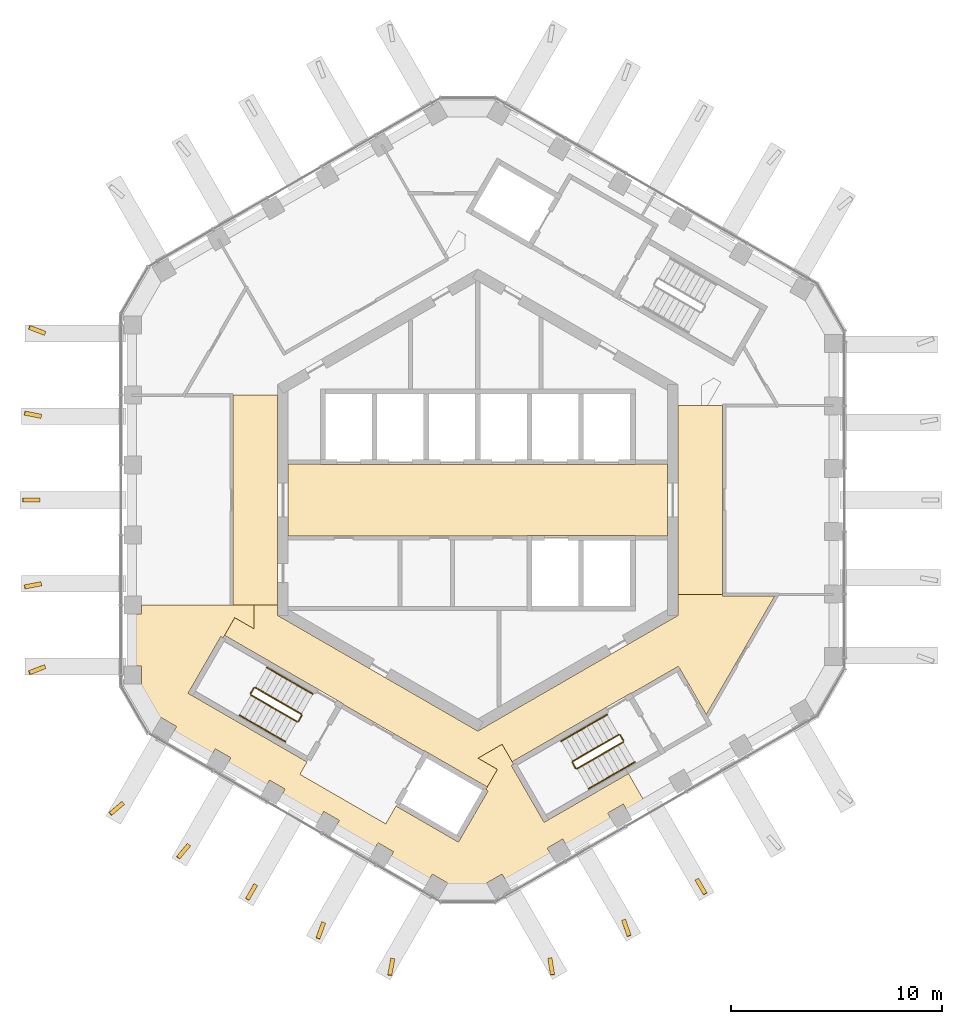
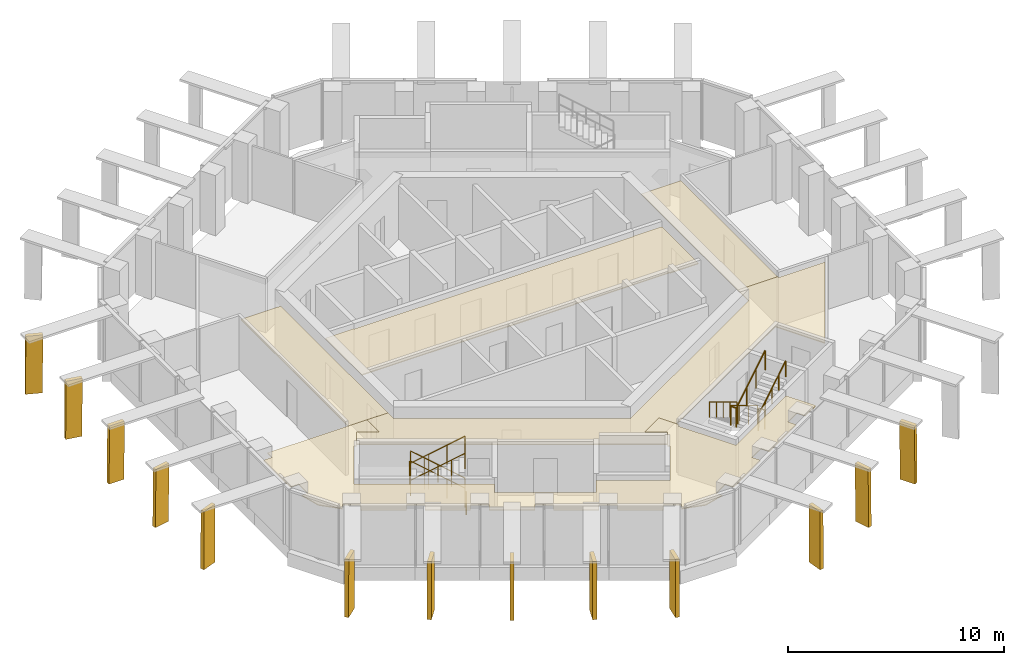
# One storey, part 15 of 17: 16 railings, 13 shading devices, 5 coverings.
"""IFC4 building model written with IfcOpenShell, lengths in metres."""

from ifc_helpers import new_model, si_unit, direction, frame, origin, origin_2d, place, context, subcontext, project, spatial, polyline, circle, outline, extrude, material, layer, layer_set, type_object, element, save


model = new_model("IFC4")

# Units and contexts
model_context = context("Model", 3, precision=1e-05, world=origin(), true_north=direction((0.0, 1.0)))
body_context = subcontext(model_context, "Body", "Model", "MODEL_VIEW")
ifc_project = project(units=[si_unit("LENGTHUNIT", "METRE"), si_unit("AREAUNIT", "SQUARE_METRE"), si_unit("VOLUMEUNIT", "CUBIC_METRE"), si_unit("PLANEANGLEUNIT", "RADIAN"), si_unit("MASSUNIT", "GRAM", prefix="KILO")], contexts=[model_context])

# Site, building, storey
site_placement = place(None, origin())
site = spatial("IfcSite", under=ifc_project, at=site_placement, CompositionType="ELEMENT")
building_placement = place(site_placement, origin())
building = spatial("IfcBuilding", under=site, at=building_placement, Name="Ayvan Gate Tower", CompositionType="ELEMENT")
storey_placement = place(building_placement, frame((0.0, 0.0, 246.10009765625)))
storey = spatial("IfcBuildingStorey", under=building, at=storey_placement, Name="L66", CompositionType="ELEMENT", Elevation=246.10009765625)

# Coverings
ifc_material_1 = material(Name="Plasterboard suspended ceiling")
ifc_layer_1 = layer(ifc_material_1, 0.050048828125)
ifc_layer_set_1 = layer_set([ifc_layer_1], Name="Plasterboard suspended ceiling")
covering_type = type_object("IfcCoveringType", Name="CT-SUSP-50", PredefinedType="CEILING", material=ifc_layer_set_1)
covering_1_placement = place(storey_placement, frame((0.0, 0.0, 2.699951171875)))
element("IfcCovering", 1, at=covering_1_placement, inside=storey, type_object=covering_type, Name="Ceiling Lift Lobby L66", PredefinedType="CEILING", context=body_context, shape_type="SweptSolid", body=[
    extrude(outline(polyline([(7.47509765625, -1.675048828125), (2.324951171875, -1.675048828125), (2.324951171875, -1.699951171875), (-9.0, -1.699951171875), (-9.0, 1.699951171875), (-7.47509765625, 1.699951171875), (-7.47509765625, 1.675048828125), (7.47509765625, 1.675048828125), (7.47509765625, 1.699951171875), (9.0, 1.699951171875), (9.0, -1.699951171875), (7.47509765625, -1.699951171875), (7.47509765625, -1.675048828125)])), origin(), (0.0, 0.0, 1.0), 0.050048828125),
])
covering_2_placement = place(storey_placement, frame((0.0, 0.0, 2.699951171875)))
element("IfcCovering", 2, at=covering_2_placement, inside=storey, type_object=covering_type, Name="Ceiling Gallery L66", PredefinedType="CEILING", context=body_context, shape_type="SweptSolid", body=[
    extrude(outline(polyline([(-4.66748046875, -8.27490234375), (0.0, -10.9697265625), (4.66748046875, -8.27490234375), (8.38720703125, -6.127197265625), (9.5, -5.48486328125), (9.5, -4.481689453125), (11.625, -4.481689453125), (11.625, -4.556884765625), (14.096923828125, -4.556884765625), (10.846435546875, -10.186767578125), (9.623779296875, -8.069091796875), (9.52392578125, -7.89599609375), (7.2939453125, -9.183349609375), (7.281494140625, -9.16162109375), (1.630615234375, -12.42431640625), (1.153076171875, -11.59716796875), (0.010009765625, -12.257080078125), (0.930419921875, -12.78857421875), (0.447998046875, -13.624267578125), (-2.284423828125, -12.046630859375), (-2.518310546875, -11.91162109375), (-2.53076171875, -11.933349609375), (-6.384521484375, -9.70849609375), (-6.3720703125, -9.686767578125), (-12.02294921875, -6.42431640625), (-11.540283203125, -5.58837890625), (-10.6201171875, -6.119873046875), (-10.6201171875, -4.97509765625), (-9.5, -4.97509765625), (-9.5, -5.48486328125), (-4.66748046875, -8.27490234375)])), origin(), (0.0, 0.0, 1.0), 0.050048828125),
])
covering_3_placement = place(storey_placement, frame((0.0, 0.0, 2.699951171875)))
element("IfcCovering", 3, at=covering_3_placement, inside=storey, type_object=covering_type, Name="Ceiling Lift Lounge Lobby L66", PredefinedType="CEILING", context=body_context, shape_type="SweptSolid", body=[
    extrude(outline(polyline([(11.625, -4.481689453125), (9.5, -4.481689453125), (9.5, 4.481689453125), (11.625, 4.481689453125), (11.625, -4.40673828125), (11.625, -4.40673828125), (11.625, -4.481689453125)])), origin(), (0.0, 0.0, 1.0), 0.050048828125),
])
covering_4_placement = place(storey_placement, frame((0.0, 0.0, 2.699951171875)))
element("IfcCovering", 4, at=covering_4_placement, inside=storey, type_object=covering_type, Name="Ceiling Lift Lounge Lobby L66", PredefinedType="CEILING", context=body_context, shape_type="SweptSolid", body=[
    extrude(outline(polyline([(-11.625, 4.97509765625), (-9.5, 4.97509765625), (-9.5, -4.97509765625), (-11.625, -4.97509765625), (-11.625, 4.97509765625)])), origin(), (0.0, 0.0, 1.0), 0.050048828125),
])
covering_5_placement = place(storey_placement, frame((0.0, 0.0, 2.699951171875)))
element("IfcCovering", 5, at=covering_5_placement, inside=storey, type_object=covering_type, Name="Ceiling Gym L66", PredefinedType="CEILING", context=body_context, shape_type="SweptSolid", body=[
    extrude(outline(polyline([(-13.53955078125, -9.301513671875), (-8.106201171875, -12.438232421875), (-8.444091796875, -13.023681640625), (-4.3720703125, -15.374755859375), (-3.88427734375, -14.529541015625), (-0.9189453125, -16.24169921875), (-0.803955078125, -16.042236328125), (0.483642578125, -13.812255859375), (0.376220703125, -13.750244140625), (0.38671875, -13.732177734375), (0.931640625, -12.7880859375), (0.011962890625, -12.257080078125), (1.152587890625, -11.5986328125), (1.691650390625, -12.531982421875), (1.7021484375, -12.55029296875), (1.5947265625, -12.6123046875), (3.147216796875, -15.30126953125), (3.346435546875, -15.186279296875), (7.15185546875, -12.9892578125), (7.94580078125, -14.3642578125), (7.13525390625, -14.832275390625), (6.907958984375, -14.4384765625), (6.171875, -14.863525390625), (6.399169921875, -15.257080078125), (4.2568359375, -16.494140625), (4.029541015625, -16.100341796875), (3.29345703125, -16.525390625), (3.520751953125, -16.919189453125), (1.37841796875, -18.156005859375), (1.151123046875, -17.76220703125), (0.4150390625, -18.187255859375), (0.5830078125, -18.478271484375), (-0.474853515625, -18.76171875), (-1.583984375, -18.464599609375), (-1.423828125, -18.187255859375), (-2.159912109375, -17.76220703125), (-2.37255859375, -18.130126953125), (-4.212158203125, -17.068115234375), (-3.99951171875, -16.7001953125), (-4.735595703125, -16.275146484375), (-4.9482421875, -16.64306640625), (-6.787841796875, -15.5810546875), (-6.5751953125, -15.212890625), (-7.311279296875, -14.7880859375), (-7.52392578125, -15.156005859375), (-9.363525390625, -14.093994140625), (-9.15087890625, -13.725830078125), (-9.88720703125, -13.30078125), (-10.099609375, -13.6689453125), (-11.939208984375, -12.60693359375), (-11.726806640625, -12.23876953125), (-12.462890625, -11.813720703125), (-12.67529296875, -12.181884765625), (-14.514892578125, -11.119873046875), (-14.302490234375, -10.751708984375), (-15.03857421875, -10.32666015625), (-15.19873046875, -10.60400390625), (-16.0107421875, -9.7919921875), (-16.294189453125, -8.734130859375), (-15.9580078125, -8.734130859375), (-15.9580078125, -7.88427734375), (-16.41259765625, -7.88427734375), (-16.41259765625, -5.410400390625), (-15.9580078125, -5.410400390625), (-15.9580078125, -4.976318359375), (-10.62109375, -4.976318359375), (-10.62109375, -6.1181640625), (-11.540771484375, -5.587158203125), (-12.085693359375, -6.531005859375), (-12.09619140625, -6.54931640625), (-12.20361328125, -6.4873046875), (-13.756103515625, -9.17626953125), (-13.53955078125, -9.30126953125), (-13.53955078125, -9.301513671875)])), origin(), (0.0, 0.0, 1.0), 0.050048828125),
])

# Shading devices
ifc_material_2 = material(Name="Bronze anodised aluminium", Category="aluminium")
ifc_layer_2 = layer(ifc_material_2, 0.199951171875)
ifc_layer_set_2 = layer_set([ifc_layer_2], Name="Bronze anodised aluminium")
shading_device_type = type_object("IfcShadingDeviceType", Name="Crown frame rib 800 x 200", PredefinedType="USERDEFINED", material=ifc_layer_set_2)
shading_device_1_placement = place(storey_placement, frame((-20.522216796875, 8.009765625, 0.0), z_axis=(0.359469754123, 0.933156628276, 0.000450528251), x_axis=(-0.93315672298, 0.359469790605, 0.0)))
element("IfcShadingDevice", 6, at=shading_device_1_placement, inside=storey, type_object=shading_device_type, Name="CROWN FRAME rib FR04.4.1", ObjectType="FIN", PredefinedType="USERDEFINED", context=body_context, shape_type="SweptSolid", body=[
    extrude(outline(polyline([(0.0, 0.0), (0.8000607109875282, 0.0), (0.7767297963089533, 3.279785489108402), (-0.023330914678574885, 3.279785489108402), (0.0, 0.0)])), origin(), (0.0, 0.0, -1.0), 0.199951171875),
])
shading_device_2_placement = place(storey_placement, frame((-20.720458984375, 4.075439453125, 0.0), z_axis=(0.188304009219, 0.98211069962, 0.000416897023), x_axis=(-0.982110784967, 0.188304025583, 0.0)))
element("IfcShadingDevice", 7, at=shading_device_2_placement, inside=storey, type_object=shading_device_type, Name="CROWN FRAME rib FR04.4.2", ObjectType="FIN", PredefinedType="USERDEFINED", context=body_context, shape_type="SweptSolid", body=[
    extrude(outline(polyline([(0.0, 0.0), (0.7999551000512035, -1.3552527156068805e-20), (0.7785629845030955, 3.2797854412684972), (-0.02139211554810814, 3.2797854412684972), (0.0, 0.0)])), origin(), (0.0, 0.0, -1.0), 0.199951171875),
])
shading_device_3_placement = place(storey_placement, frame((-20.8056640625, 0.099853515625, 0.0), z_axis=(0.0, 0.999999900262, 0.000446627914), x_axis=(-1.0, 0.0, 0.0)))
element("IfcShadingDevice", 8, at=shading_device_3_placement, inside=storey, type_object=shading_device_type, Name="CROWN FRAME rib FR04.4.3", ObjectType="FIN", PredefinedType="USERDEFINED", context=body_context, shape_type="SweptSolid", body=[
    extrude(outline(polyline([(0.0, 0.0), (0.800048828125, 0.0), (0.779296875, 3.2797854833700706), (-0.020751953125, 3.2797854833700706), (0.0, 0.0)])), origin(), (0.0, 0.0, -1.0), 0.199951171875),
])
shading_device_4_placement = place(storey_placement, frame((-20.758056640625, -3.87939453125, 0.0), z_axis=(-0.188422948191, 0.982087868425, 0.000459660961), x_axis=(-0.982087972184, -0.18842296806, -8.2078e-08)))
element("IfcShadingDevice", 9, at=shading_device_4_placement, inside=storey, type_object=shading_device_type, Name="CROWN FRAME rib FR04.4.4", ObjectType="FIN", PredefinedType="USERDEFINED", context=body_context, shape_type="SweptSolid", body=[
    extrude(outline(polyline([(0.0, 0.0), (0.8001948617557695, 1.3552527156068805e-20), (0.7786350292679558, 3.2797855666489135), (-0.02136606661766626, 3.279785435307839), (0.0, 0.0)])), origin(), (0.0, 0.0, -1.0), 0.199951171875),
])
shading_device_5_placement = place(storey_placement, frame((-20.593994140625, -7.8232421875, 0.0), z_axis=(-0.359336881967, 0.93320780047, 0.000454312487), x_axis=(-0.933207896767, -0.359336919078, 6.4687e-08)))
element("IfcShadingDevice", 10, at=shading_device_5_placement, inside=storey, type_object=shading_device_type, Name="CROWN FRAME rib FR04.4.5", ObjectType="FIN", PredefinedType="USERDEFINED", context=body_context, shape_type="SweptSolid", body=[
    extrude(outline(polyline([(0.0, 0.0), (0.8000607028774714, 1.3552527156068805e-20), (0.7767838912935889, 3.2797854444754293), (-0.02318908284387331, 3.279785547977567), (0.0, 0.0)])), origin(), (0.0, 0.0, -1.0), 0.199951171875),
])
shading_device_6_placement = place(storey_placement, frame((-16.914306640625, -14.317138671875, 0.0), z_axis=(-0.649559283849, 0.760310819798, 0.000440526821), x_axis=(-0.760310893573, -0.649559346877, 0.0)))
element("IfcShadingDevice", 11, at=shading_device_6_placement, inside=storey, type_object=shading_device_type, Name="CROWN FRAME rib FR04.5.1", ObjectType="FIN", PredefinedType="USERDEFINED", context=body_context, shape_type="SweptSolid", body=[
    extrude(outline(polyline([(0.0, 0.0), (0.8001969229207351, 2.710505431213761e-20), (0.7767061072654768, 3.2797854744939623), (-0.0234908156552582, 3.2797854744939623), (0.0, 0.0)])), origin(), (0.0, 0.0, -1.0), 0.199951171875),
])
shading_device_7_placement = place(storey_placement, frame((-13.799072265625, -16.315185546875, 0.0), z_axis=(-0.766479786093, 0.642268249983, 0.000482260273), x_axis=(-0.642268324674, -0.766479875222, -9.139e-09)))
element("IfcShadingDevice", 12, at=shading_device_7_placement, inside=storey, type_object=shading_device_type, Name="CROWN FRAME rib FR04.5.2", ObjectType="FIN", PredefinedType="USERDEFINED", context=body_context, shape_type="SweptSolid", body=[
    extrude(outline(polyline([(0.0, 0.0), (0.8001397143546464, -2.710505431213761e-20), (0.7780976686724914, 3.27978554475889), (-0.021698113016164727, 3.279785530137449), (0.0, 0.0)])), origin(), (0.0, 0.0, -1.0), 0.199951171875),
])
shading_device_8_placement = place(storey_placement, frame((-10.6376953125, -18.22509765625, 0.0), z_axis=(-0.865989798891, 0.500061422196, 0.000492187132), x_axis=(-0.500061482754, -0.86598990379, 2.7489e-08)))
element("IfcShadingDevice", 13, at=shading_device_8_placement, inside=storey, type_object=shading_device_type, Name="CROWN FRAME rib FR04.5.3", ObjectType="FIN", PredefinedType="USERDEFINED", context=body_context, shape_type="SweptSolid", body=[
    extrude(outline(polyline([(0.0, 0.0), (0.7997837074713671, 0.0), (0.7785791380288829, 3.2797855321084484), (-0.02153807808177706, 3.279785576088627), (0.0, 0.0)])), origin(), (0.0, 0.0, -1.0), 0.199951171875),
])
shading_device_9_placement = place(storey_placement, frame((-7.417724609375, -20.03955078125, 0.0), z_axis=(-0.939427413756, 0.34274755869, 0.000495274267), x_axis=(-0.342747600727, -0.939427528975, 0.0)))
element("IfcShadingDevice", 14, at=shading_device_9_placement, inside=storey, type_object=shading_device_type, Name="CROWN FRAME rib FR04.5.4", ObjectType="FIN", PredefinedType="USERDEFINED", context=body_context, shape_type="SweptSolid", body=[
    extrude(outline(polyline([(0.0, 0.0), (0.7999178441897365, -2.710505431213761e-20), (0.7780148367183394, 3.2797855585101465), (-0.02190300747139721, 3.2797855585101465), (0.0, 0.0)])), origin(), (0.0, 0.0, -1.0), 0.199951171875),
])
shading_device_10_placement = place(storey_placement, frame((-4.138427734375, -21.7705078125, 0.0), z_axis=(-0.983236345595, 0.18233510754, 0.000444138307), x_axis=(-0.182335125494, -0.983236442577, 6.6633e-08)))
element("IfcShadingDevice", 15, at=shading_device_10_placement, inside=storey, type_object=shading_device_type, Name="CROWN FRAME rib FR04.5.5", ObjectType="FIN", PredefinedType="USERDEFINED", context=body_context, shape_type="SweptSolid", body=[
    extrude(outline(polyline([(0.0, 0.0), (0.8000102265386647, 0.0), (0.7764220824131359, 3.2797854279978615), (-0.023632659537026486, 3.2797855346153217), (0.0, 0.0)])), origin(), (0.0, 0.0, -1.0), 0.199951171875),
])
shading_device_11_placement = place(storey_placement, frame((3.324462890625, -21.777587890625, 0.0), z_axis=(-0.987861648947, -0.155335674796, 0.000436663262), x_axis=(0.155335689605, -0.987861743127, 0.0)))
element("IfcShadingDevice", 16, at=shading_device_11_placement, inside=storey, type_object=shading_device_type, Name="CROWN FRAME rib FR04.6.1", ObjectType="FIN", PredefinedType="USERDEFINED", context=body_context, shape_type="SweptSolid", body=[
    extrude(outline(polyline([(0.0, 0.0), (0.7999937325470513, -6.776263578034403e-21), (0.7767405863547763, 3.2797854689362413), (-0.02325314619227498, 3.2797854689362413), (0.0, 0.0)])), origin(), (0.0, 0.0, -1.0), 0.199951171875),
])
shading_device_12_placement = place(storey_placement, frame((6.830810546875, -19.982177734375, 0.0), z_axis=(-0.944768084065, -0.327739315984, 0.000456169118), x_axis=(0.327739350084, -0.944768182364, 0.0)))
element("IfcShadingDevice", 17, at=shading_device_12_placement, inside=storey, type_object=shading_device_type, Name="CROWN FRAME rib FR04.6.2", ObjectType="FIN", PredefinedType="USERDEFINED", context=body_context, shape_type="SweptSolid", body=[
    extrude(outline(polyline([(0.0, 0.0), (0.8000474498505256, 0.0), (0.7786013315514932, 3.279785497495733), (-0.021446118299032323, 3.279785497495733), (0.0, 0.0)])), origin(), (0.0, 0.0, -1.0), 0.199951171875),
])
shading_device_13_placement = place(storey_placement, frame((10.31640625, -18.068115234375, 0.0), z_axis=(-0.866094020185, -0.499880903828, 0.000479778982), x_axis=(0.499880961361, -0.866094119867, 0.0)))
element("IfcShadingDevice", 18, at=shading_device_13_placement, inside=storey, type_object=shading_device_type, Name="CROWN FRAME rib FR04.6.3", ObjectType="FIN", PredefinedType="USERDEFINED", context=body_context, shape_type="SweptSolid", body=[
    extrude(outline(polyline([(0.0, 0.0), (0.7999951481672026, 0.0), (0.7791980674054491, 3.2797855337334485), (-0.020797080761753586, 3.2797855337334485), (0.0, 0.0)])), origin(), (0.0, 0.0, -1.0), 0.199951171875),
])

# Railings
ifc_material_3 = material(Name="Stainless steel balustrade", Category="steel")
railing_type_1 = type_object("IfcRailingType", Name="RL-GUARD-1100", PredefinedType="GUARDRAIL", material=ifc_material_3)
railing_1_placement = place(storey_placement, frame((-8.381103515625, -10.16650390625, 0.169921875)))
element("IfcRailing", 19, at=railing_1_placement, inside=storey, type_object=railing_type_1, Name="L66 STS2 stair guard 1", PredefinedType="GUARDRAIL", context=body_context, shape_type="SweptSolid", body=[
    extrude(circle(Radius=0.02392578125, at=origin_2d()), frame((0.0, 0.0, 1.076171875), z_axis=(-0.740261155115, 0.427395438142, 0.518986090067), x_axis=(-0.500004791531, -0.866022637375, 0.0)), (0.0, 0.0, 1.0), 2.947998046875),
    extrude(circle(Radius=0.02099609375, at=origin_2d()), origin(), (0.0, 0.0, 1.0), 1.052001953125),
    extrude(circle(Radius=0.02099609375, at=origin_2d()), frame((-0.7275390625, 0.419921875, 0.510009765625)), (0.0, 0.0, 1.0), 1.052001953125),
    extrude(circle(Radius=0.02099609375, at=origin_2d()), frame((-1.454833984375, 0.840087890625, 1.02001953125)), (0.0, 0.0, 1.0), 1.052001953125),
    extrude(circle(Radius=0.02099609375, at=origin_2d()), frame((-2.182373046875, 1.260009765625, 1.530029296875)), (0.0, 0.0, 1.0), 1.052001953125),
])
railing_2_placement = place(storey_placement, frame((-10.6318359375, -8.9248046875, 1.699951171875)))
element("IfcRailing", 20, at=railing_2_placement, inside=storey, type_object=railing_type_1, Name="L66 STS2 stair guard 2", PredefinedType="GUARDRAIL", context=body_context, shape_type="SweptSolid", body=[
    extrude(circle(Radius=0.02392578125, at=origin_2d()), frame((0.0, 0.0, 1.076171875), z_axis=(-0.499949632511, -0.866054481515, 0.0), x_axis=(0.866054481515, -0.499949632511, 0.0)), (0.0, 0.0, 1.0), 0.31005859375),
    extrude(circle(Radius=0.02099609375, at=origin_2d()), origin(), (0.0, 0.0, 1.0), 1.052001953125),
    extrude(circle(Radius=0.02099609375, at=origin_2d()), frame((-0.155029296875, -0.2685546875, 0.0)), (0.0, 0.0, 1.0), 1.052001953125),
])
railing_3_placement = place(storey_placement, frame((-10.7685546875, -9.261474609375, 1.869873046875)))
element("IfcRailing", 21, at=railing_3_placement, inside=storey, type_object=railing_type_1, Name="L66 STS2 stair guard 3", PredefinedType="GUARDRAIL", context=body_context, shape_type="SweptSolid", body=[
    extrude(circle(Radius=0.02392578125, at=origin_2d()), frame((0.0, 0.0, 1.076171875), z_axis=(0.740261155115, -0.427395438142, 0.518986090067), x_axis=(0.500004791531, 0.866022637375, 0.0)), (0.0, 0.0, 1.0), 2.947998046875),
    extrude(circle(Radius=0.02099609375, at=origin_2d()), origin(), (0.0, 0.0, 1.0), 1.052001953125),
    extrude(circle(Radius=0.02099609375, at=origin_2d()), frame((0.7275390625, -0.419921875, 0.510009765625)), (0.0, 0.0, 1.0), 1.052001953125),
    extrude(circle(Radius=0.02099609375, at=origin_2d()), frame((1.454833984375, -0.840087890625, 1.02001953125)), (0.0, 0.0, 1.0), 1.052001953125),
    extrude(circle(Radius=0.02099609375, at=origin_2d()), frame((2.182373046875, -1.260009765625, 1.530029296875)), (0.0, 0.0, 1.0), 1.052001953125),
])
railing_4_placement = place(storey_placement, frame((-8.36279296875, -10.23486328125, 0.0)))
element("IfcRailing", 22, at=railing_4_placement, inside=storey, type_object=railing_type_1, Name="L66 STS2 stair guard 4", PredefinedType="GUARDRAIL", context=body_context, shape_type="SweptSolid", body=[
    extrude(circle(Radius=0.02392578125, at=origin_2d()), frame((0.0, 0.0, 1.076171875), z_axis=(-0.500290723946, -0.86585748916, 0.0), x_axis=(0.86585748916, -0.500290723946, 0.0)), (0.0, 0.0, 1.0), 0.309814453125),
    extrude(circle(Radius=0.02099609375, at=origin_2d()), origin(), (0.0, 0.0, 1.0), 1.052001953125),
    extrude(circle(Radius=0.02099609375, at=origin_2d()), frame((-0.155029296875, -0.268310546875, 0.0)), (0.0, 0.0, 1.0), 1.052001953125),
])
railing_5_placement = place(storey_placement, frame((6.6923828125, -11.1416015625, 0.169921875)))
element("IfcRailing", 23, at=railing_5_placement, inside=storey, type_object=railing_type_1, Name="L66 STS3 stair guard 1", PredefinedType="GUARDRAIL", context=body_context, shape_type="SweptSolid", body=[
    extrude(circle(Radius=0.02392578125, at=origin_2d()), frame((0.0, 0.0, 1.076171875), z_axis=(-0.740261155115, -0.427395438142, 0.518986090067), x_axis=(0.500004791531, -0.866022637375, 0.0)), (0.0, 0.0, 1.0), 2.947998046875),
    extrude(circle(Radius=0.02099609375, at=origin_2d()), origin(), (0.0, 0.0, 1.0), 1.052001953125),
    extrude(circle(Radius=0.02099609375, at=origin_2d()), frame((-0.7275390625, -0.419921875, 0.510009765625)), (0.0, 0.0, 1.0), 1.052001953125),
    extrude(circle(Radius=0.02099609375, at=origin_2d()), frame((-1.454833984375, -0.840087890625, 1.02001953125)), (0.0, 0.0, 1.0), 1.052001953125),
    extrude(circle(Radius=0.02099609375, at=origin_2d()), frame((-2.182373046875, -1.260009765625, 1.530029296875)), (0.0, 0.0, 1.0), 1.052001953125),
])
railing_6_placement = place(storey_placement, frame((4.49169921875, -12.4697265625, 1.699951171875)))
element("IfcRailing", 24, at=railing_6_placement, inside=storey, type_object=railing_type_1, Name="L66 STS3 stair guard 2", PredefinedType="GUARDRAIL", context=body_context, shape_type="SweptSolid", body=[
    extrude(circle(Radius=0.02392578125, at=origin_2d()), frame((0.0, 0.0, 1.076171875), z_axis=(0.499949632511, -0.866054481515, 0.0), x_axis=(0.866054481515, 0.499949632511, 0.0)), (0.0, 0.0, 1.0), 0.31005859375),
    extrude(circle(Radius=0.02099609375, at=origin_2d()), origin(), (0.0, 0.0, 1.0), 1.052001953125),
    extrude(circle(Radius=0.02099609375, at=origin_2d()), frame((0.155029296875, -0.2685546875, 0.0)), (0.0, 0.0, 1.0), 1.052001953125),
])
railing_7_placement = place(storey_placement, frame((4.715087890625, -12.756591796875, 1.869873046875)))
element("IfcRailing", 25, at=railing_7_placement, inside=storey, type_object=railing_type_1, Name="L66 STS3 stair guard 3", PredefinedType="GUARDRAIL", context=body_context, shape_type="SweptSolid", body=[
    extrude(circle(Radius=0.02392578125, at=origin_2d()), frame((0.0, 0.0, 1.076171875), z_axis=(0.740261155115, 0.427395438142, 0.518986090067), x_axis=(-0.500004791531, 0.866022637375, 0.0)), (0.0, 0.0, 1.0), 2.947998046875),
    extrude(circle(Radius=0.02099609375, at=origin_2d()), origin(), (0.0, 0.0, 1.0), 1.052001953125),
    extrude(circle(Radius=0.02099609375, at=origin_2d()), frame((0.7275390625, 0.419921875, 0.510009765625)), (0.0, 0.0, 1.0), 1.052001953125),
    extrude(circle(Radius=0.02099609375, at=origin_2d()), frame((1.454833984375, 0.840087890625, 1.02001953125)), (0.0, 0.0, 1.0), 1.052001953125),
    extrude(circle(Radius=0.02099609375, at=origin_2d()), frame((2.182373046875, 1.260009765625, 1.530029296875)), (0.0, 0.0, 1.0), 1.052001953125),
])
railing_8_placement = place(storey_placement, frame((6.7607421875, -11.159912109375, 0.0)))
element("IfcRailing", 26, at=railing_8_placement, inside=storey, type_object=railing_type_1, Name="L66 STS3 stair guard 4", PredefinedType="GUARDRAIL", context=body_context, shape_type="SweptSolid", body=[
    extrude(circle(Radius=0.02392578125, at=origin_2d()), frame((0.0, 0.0, 1.076171875), z_axis=(0.500290723946, -0.86585748916, 0.0), x_axis=(0.86585748916, 0.500290723946, 0.0)), (0.0, 0.0, 1.0), 0.309814453125),
    extrude(circle(Radius=0.02099609375, at=origin_2d()), origin(), (0.0, 0.0, 1.0), 1.052001953125),
    extrude(circle(Radius=0.02099609375, at=origin_2d()), frame((0.155029296875, -0.268310546875, 0.0)), (0.0, 0.0, 1.0), 1.052001953125),
])
railing_type_2 = type_object("IfcRailingType", Name="RL-HANDRAIL-900", PredefinedType="HANDRAIL", material=ifc_material_3)
railing_9_placement = place(storey_placement, frame((-7.8310546875, -9.2138671875, 0.169921875)))
element("IfcRailing", 27, at=railing_9_placement, inside=storey, type_object=railing_type_2, Name="L66 STS2 stair handrail 1", PredefinedType="HANDRAIL", context=body_context, shape_type="SweptSolid", body=[
    extrude(circle(Radius=0.02392578125, at=origin_2d()), frame((0.0, 0.0, 0.8759765625), z_axis=(-0.740356597536, 0.427319915356, 0.518912129772), x_axis=(-0.499890179513, -0.866088799389, 0.0)), (0.0, 0.0, 1.0), 1.47412109375),
    extrude(circle(Radius=0.02099609375, at=origin_2d()), origin(), (0.0, 0.0, 1.0), 0.851806640625),
    extrude(circle(Radius=0.02099609375, at=origin_2d()), frame((-0.545654296875, 0.31494140625, 0.38232421875)), (0.0, 0.0, 1.0), 0.851806640625),
    extrude(circle(Radius=0.02099609375, at=origin_2d()), frame((-1.09130859375, 0.6298828125, 0.764892578125)), (0.0, 0.0, 1.0), 0.851806640625),
])
railing_10_placement = place(storey_placement, frame((-8.92236328125, -8.583984375, 0.934814453125)))
element("IfcRailing", 28, at=railing_10_placement, inside=storey, type_object=railing_type_2, Name="L66 STS2 stair handrail 2", PredefinedType="HANDRAIL", context=body_context, shape_type="SweptSolid", body=[
    extrude(circle(Radius=0.02392578125, at=origin_2d()), frame((0.0, 0.0, 0.8759765625), z_axis=(-0.740165700939, 0.427470949681, 0.519060037311), x_axis=(-0.50011940292, -0.865956455501, 0.0)), (0.0, 0.0, 1.0), 1.47412109375),
    extrude(circle(Radius=0.02099609375, at=origin_2d()), origin(), (0.0, 0.0, 1.0), 0.851806640625),
    extrude(circle(Radius=0.02099609375, at=origin_2d()), frame((-0.54541015625, 0.31494140625, 0.382568359375)), (0.0, 0.0, 1.0), 0.851806640625),
    extrude(circle(Radius=0.02099609375, at=origin_2d()), frame((-1.091064453125, 0.630126953125, 0.76513671875)), (0.0, 0.0, 1.0), 0.851806640625),
])
railing_11_placement = place(storey_placement, frame((-11.318603515625, -10.214111328125, 1.869873046875)))
element("IfcRailing", 29, at=railing_11_placement, inside=storey, type_object=railing_type_2, Name="L66 STS2 stair handrail 3", PredefinedType="HANDRAIL", context=body_context, shape_type="SweptSolid", body=[
    extrude(circle(Radius=0.02392578125, at=origin_2d()), frame((0.0, 0.0, 0.8759765625), z_axis=(0.740240574041, -0.427418550694, 0.518996411419), x_axis=(0.500035496587, 0.86600490885, 0.0)), (0.0, 0.0, 1.0), 1.474365234375),
    extrude(circle(Radius=0.02099609375, at=origin_2d()), origin(), (0.0, 0.0, 1.0), 0.851806640625),
    extrude(circle(Radius=0.02099609375, at=origin_2d()), frame((0.545654296875, -0.31494140625, 0.382568359375)), (0.0, 0.0, 1.0), 0.851806640625),
    extrude(circle(Radius=0.02099609375, at=origin_2d()), frame((1.09130859375, -0.630126953125, 0.76513671875)), (0.0, 0.0, 1.0), 0.851806640625),
])
railing_12_placement = place(storey_placement, frame((-10.227294921875, -10.84423828125, 2.635009765625)))
element("IfcRailing", 30, at=railing_12_placement, inside=storey, type_object=railing_type_2, Name="L66 STS2 stair handrail 4", PredefinedType="HANDRAIL", context=body_context, shape_type="SweptSolid", body=[
    extrude(circle(Radius=0.02392578125, at=origin_2d()), frame((0.0, 0.0, 0.8759765625), z_axis=(0.740356597536, -0.427319915356, 0.518912129772), x_axis=(0.499890179513, 0.866088799389, 0.0)), (0.0, 0.0, 1.0), 1.47412109375),
    extrude(circle(Radius=0.02099609375, at=origin_2d()), origin(), (0.0, 0.0, 1.0), 0.851806640625),
    extrude(circle(Radius=0.02099609375, at=origin_2d()), frame((0.545654296875, -0.31494140625, 0.38232421875)), (0.0, 0.0, 1.0), 0.851806640625),
    extrude(circle(Radius=0.02099609375, at=origin_2d()), frame((1.09130859375, -0.6298828125, 0.764892578125)), (0.0, 0.0, 1.0), 0.851806640625),
])
railing_13_placement = place(storey_placement, frame((6.142333984375, -10.18896484375, 0.169921875)))
element("IfcRailing", 31, at=railing_13_placement, inside=storey, type_object=railing_type_2, Name="L66 STS3 stair handrail 1", PredefinedType="HANDRAIL", context=body_context, shape_type="SweptSolid", body=[
    extrude(circle(Radius=0.02392578125, at=origin_2d()), frame((0.0, 0.0, 0.8759765625), z_axis=(-0.740281741151, -0.427372318678, 0.518975765278), x_axis=(0.499974077718, -0.866040369504, 0.0)), (0.0, 0.0, 1.0), 1.473876953125),
    extrude(circle(Radius=0.02099609375, at=origin_2d()), origin(), (0.0, 0.0, 1.0), 0.851806640625),
    extrude(circle(Radius=0.02099609375, at=origin_2d()), frame((-0.54541015625, -0.31494140625, 0.38232421875)), (0.0, 0.0, 1.0), 0.851806640625),
    extrude(circle(Radius=0.02099609375, at=origin_2d()), frame((-1.091064453125, -0.6298828125, 0.764892578125)), (0.0, 0.0, 1.0), 0.851806640625),
])
railing_14_placement = place(storey_placement, frame((5.05126953125, -10.81884765625, 0.934814453125)))
element("IfcRailing", 32, at=railing_14_placement, inside=storey, type_object=railing_type_2, Name="L66 STS3 stair handrail 2", PredefinedType="HANDRAIL", context=body_context, shape_type="SweptSolid", body=[
    extrude(circle(Radius=0.02392578125, at=origin_2d()), frame((0.0, 0.0, 0.8759765625), z_axis=(-0.740240574041, -0.427418550694, 0.518996411419), x_axis=(0.500035496587, -0.86600490885, 0.0)), (0.0, 0.0, 1.0), 1.474365234375),
    extrude(circle(Radius=0.02099609375, at=origin_2d()), origin(), (0.0, 0.0, 1.0), 0.851806640625),
    extrude(circle(Radius=0.02099609375, at=origin_2d()), frame((-0.545654296875, -0.31494140625, 0.382568359375)), (0.0, 0.0, 1.0), 0.851806640625),
    extrude(circle(Radius=0.02099609375, at=origin_2d()), frame((-1.09130859375, -0.630126953125, 0.76513671875)), (0.0, 0.0, 1.0), 0.851806640625),
])
railing_15_placement = place(storey_placement, frame((5.264892578125, -13.709228515625, 1.869873046875)))
element("IfcRailing", 33, at=railing_15_placement, inside=storey, type_object=railing_type_2, Name="L66 STS3 stair handrail 3", PredefinedType="HANDRAIL", context=body_context, shape_type="SweptSolid", body=[
    extrude(circle(Radius=0.02392578125, at=origin_2d()), frame((0.0, 0.0, 0.8759765625), z_axis=(0.740240574041, 0.427418550694, 0.518996411419), x_axis=(-0.500035496587, 0.86600490885, 0.0)), (0.0, 0.0, 1.0), 1.474365234375),
    extrude(circle(Radius=0.02099609375, at=origin_2d()), origin(), (0.0, 0.0, 1.0), 0.851806640625),
    extrude(circle(Radius=0.02099609375, at=origin_2d()), frame((0.545654296875, 0.31494140625, 0.382568359375)), (0.0, 0.0, 1.0), 0.851806640625),
    extrude(circle(Radius=0.02099609375, at=origin_2d()), frame((1.09130859375, 0.630126953125, 0.76513671875)), (0.0, 0.0, 1.0), 0.851806640625),
])
railing_16_placement = place(storey_placement, frame((6.356201171875, -13.0791015625, 2.635009765625)))
element("IfcRailing", 34, at=railing_16_placement, inside=storey, type_object=railing_type_2, Name="L66 STS3 stair handrail 4", PredefinedType="HANDRAIL", context=body_context, shape_type="SweptSolid", body=[
    extrude(circle(Radius=0.02392578125, at=origin_2d()), frame((0.0, 0.0, 0.8759765625), z_axis=(0.740281741151, 0.427372318678, 0.518975765278), x_axis=(-0.499974077718, 0.866040369504, 0.0)), (0.0, 0.0, 1.0), 1.473876953125),
    extrude(circle(Radius=0.02099609375, at=origin_2d()), origin(), (0.0, 0.0, 1.0), 0.851806640625),
    extrude(circle(Radius=0.02099609375, at=origin_2d()), frame((0.54541015625, 0.31494140625, 0.38232421875)), (0.0, 0.0, 1.0), 0.851806640625),
    extrude(circle(Radius=0.02099609375, at=origin_2d()), frame((1.091064453125, 0.6298828125, 0.764892578125)), (0.0, 0.0, 1.0), 0.851806640625),
])

save(model, "model.ifc")
